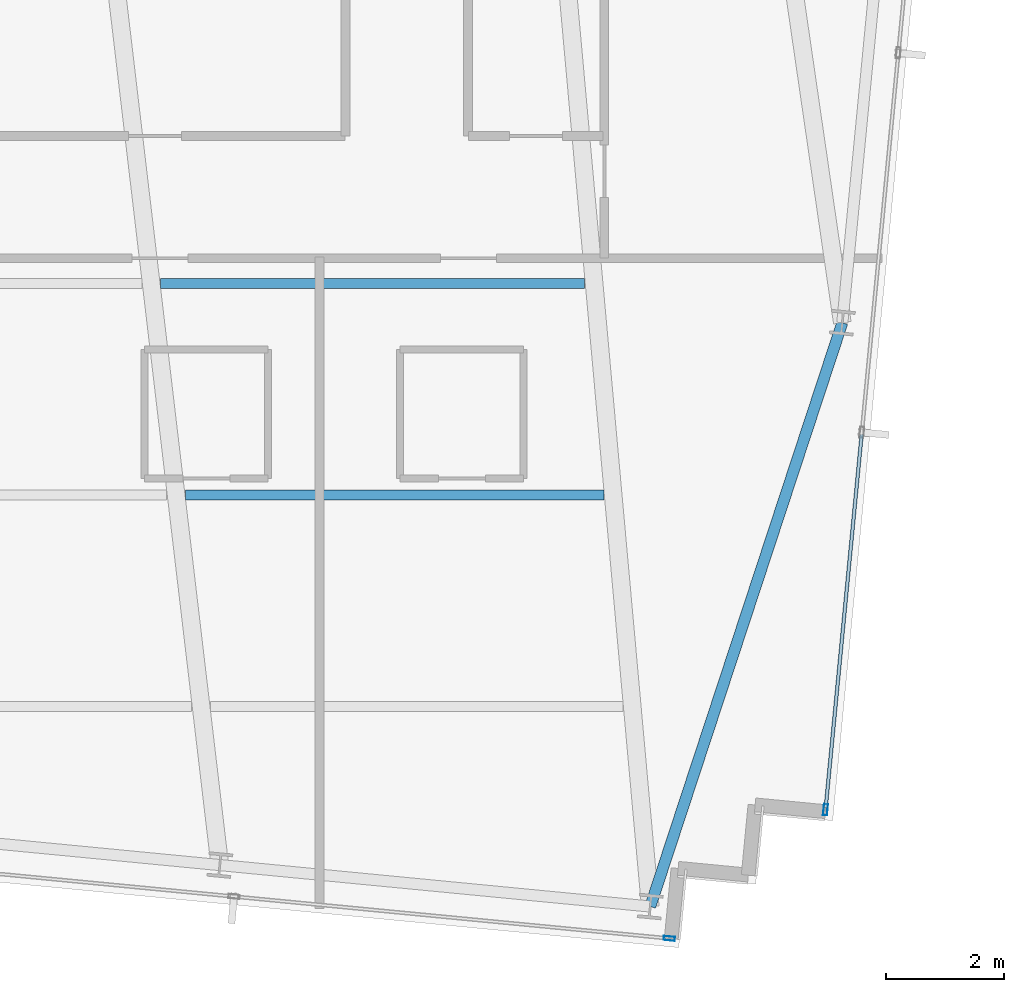
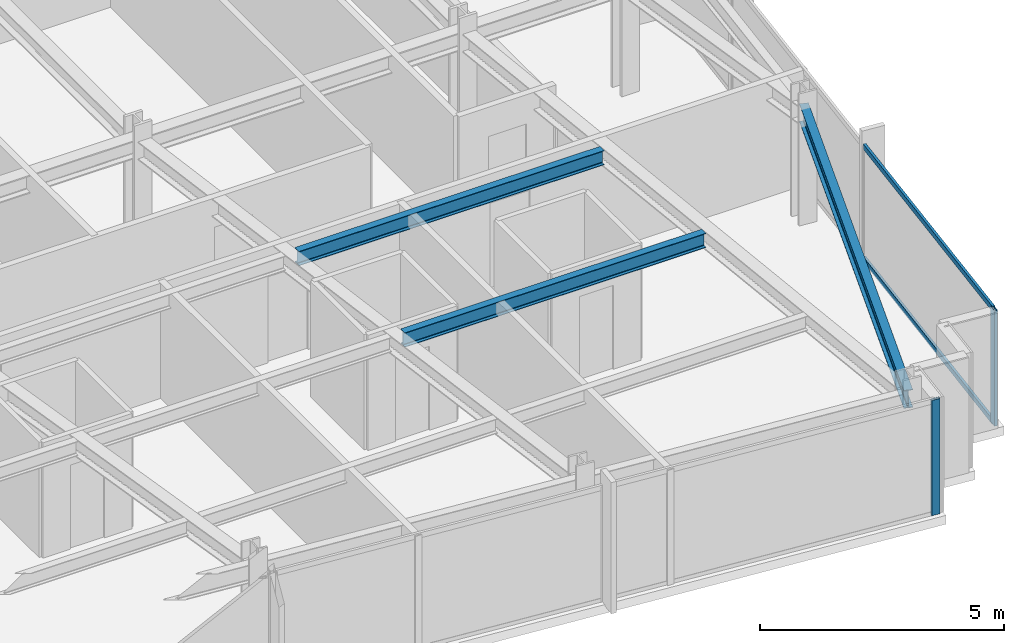
# One storey, part 14 of 37: 4 members, 3 beams, 2 elements without a shape of their own.
"""IFC4 building model written with IfcOpenShell, lengths in metres."""

from ifc_helpers import new_model, si_unit, direction, frame, origin, origin_2d, place, context, subcontext, project, spatial, hollow_rectangle, i_section, extrude, material, material_profile, profile_set, type_object, element, aggregate, save


model = new_model("IFC4")

# Units and contexts
model_context = context("Model", 3, precision=1e-05, world=origin(), true_north=direction((0.0, 1.0)))
body_context = subcontext(model_context, "Body", "Model", "MODEL_VIEW")
ifc_project = project(units=[si_unit("LENGTHUNIT", "METRE"), si_unit("AREAUNIT", "SQUARE_METRE"), si_unit("VOLUMEUNIT", "CUBIC_METRE"), si_unit("PLANEANGLEUNIT", "RADIAN"), si_unit("MASSUNIT", "GRAM", prefix="KILO")], contexts=[model_context])

# Site, building, storey
site_placement = place(None, origin())
site = spatial("IfcSite", under=ifc_project, at=site_placement, CompositionType="ELEMENT")
building_placement = place(site_placement, origin())
building = spatial("IfcBuilding", under=site, at=building_placement, Name="Yelkora Congress Tower", CompositionType="ELEMENT")
storey_placement = place(building_placement, frame((0.0, 0.0, 188.60009765625)))
storey = spatial("IfcBuildingStorey", under=building, at=storey_placement, Name="L52", CompositionType="ELEMENT", Elevation=188.60009765625)

# Beams
ifc_material_1 = material(Name="Steel S355J2", Category="steel")
ifc_material_profile_1 = material_profile(ifc_material_1, i_section(OverallWidth=0.169921875, OverallDepth=0.360107421875, WebThickness=0.008056640625, FlangeThickness=0.0126953125, FilletRadius=0.01806640625, at=origin_2d()), Name="IPE 360")
ifc_profile_set_1 = profile_set([ifc_material_profile_1], Name="Steel S355J2")
beam_type_1 = type_object("IfcBeamType", Name="BM-JOIST-IPE360", PredefinedType="JOIST", material=ifc_profile_set_1)
beam_1_placement = place(storey_placement, frame((47.27587890625, 16.421142578125, 2.699951171875), z_axis=(1.0, 0.0, 0.0), x_axis=(0.0, 1.0, 0.0)))
element("IfcBeam", 1, at=beam_1_placement, inside=storey, type_object=beam_type_1, Name="L52 Composite Floor Joist 11", PredefinedType="JOIST", context=body_context, shape_type="SweptSolid", body=[
    extrude(i_section(OverallWidth=0.169921875, OverallDepth=0.360107421875, WebThickness=0.008056640625, FlangeThickness=0.0126953125, FilletRadius=0.01806640625, at=origin_2d()), origin(), (0.0, 0.0, 1.0), 7.115234375),
])
beam_2_placement = place(storey_placement, frame((46.851318359375, 20.021240234375, 2.699951171875), z_axis=(1.0, 0.0, 0.0), x_axis=(0.0, 1.0, 0.0)))
element("IfcBeam", 2, at=beam_2_placement, inside=storey, type_object=beam_type_1, Name="L52 Composite Floor Joist 18", PredefinedType="JOIST", context=body_context, shape_type="SweptSolid", body=[
    extrude(i_section(OverallWidth=0.169921875, OverallDepth=0.360107421875, WebThickness=0.008056640625, FlangeThickness=0.0126953125, FilletRadius=0.01806640625, at=origin_2d()), origin(), (0.0, 0.0, 1.0), 7.215576171875),
])
ifc_material_profile_2 = material_profile(ifc_material_1, i_section(OverallWidth=0.18994140625, OverallDepth=0.449951171875, WebThickness=0.009521484375, FlangeThickness=0.0146484375, FilletRadius=0.02099609375, at=origin_2d()), Name="IPE 450")
ifc_profile_set_2 = profile_set([ifc_material_profile_2], Name="Steel S355J2")
beam_type_2 = type_object("IfcBeamType", Name="BM-SPAN-IPE450", PredefinedType="SPANDREL", material=ifc_profile_set_2)
beam_3_placement = place(storey_placement, frame((55.18212890625, 9.421142578125, 2.65478515625), z_axis=(0.312456737339, 0.949931990877, 0.0), x_axis=(-0.949931990877, 0.312456737339, 0.0)))
element("IfcBeam", 3, at=beam_3_placement, inside=storey, type_object=beam_type_2, Name="L52 Perimeter Beam 9", PredefinedType="SPANDREL", context=body_context, shape_type="SweptSolid", body=[
    extrude(i_section(OverallWidth=0.18994140625, OverallDepth=0.449951171875, WebThickness=0.009521484375, FlangeThickness=0.0146484375, FilletRadius=0.02099609375, at=origin_2d()), origin(), (0.0, 0.0, 1.0), 10.4560546875),
])

# Curtain wall, member
ifc_material_2 = material(Name="Anodised aluminium and insulated glass", Category="aluminium")
curtain_wall_type = type_object("IfcCurtainWallType", Name="CW-SYS-B3", PredefinedType="NOTDEFINED", material=ifc_material_2)
curtain_wall_1_placement = place(storey_placement, origin())
curtain_wall_1 = element("IfcCurtainWall", 4, at=curtain_wall_1_placement, inside=storey, type_object=curtain_wall_type, Name="L52 Unitised Curtain Wall 15", PredefinedType="NOTDEFINED")
ifc_material_3 = material(Name="Anodised aluminium 6063-T6", Category="aluminium")
ifc_material_profile_3 = material_profile(ifc_material_3, hollow_rectangle(XDim=0.070068359375, YDim=0.18994140625, WallThickness=0.00390625, at=origin_2d()), Name="ALU 70x190x4")
ifc_profile_set_3 = profile_set([ifc_material_profile_3], Name="Anodised aluminium 6063-T6")
member_type_1 = type_object("IfcMemberType", Name="MEM-ML-B3", PredefinedType="MULLION", material=ifc_profile_set_3)
member_1_placement = place(storey_placement, frame((58.163818359375, 11.068115234375, 0.0), z_axis=(0.0, 0.0, 1.0), x_axis=(0.995396565076, -0.095841944023, 0.0)))
member_1 = element("IfcMember", 5, at=member_1_placement, type_object=member_type_1, Name="CW-B3 mullion 6", PredefinedType="MULLION", context=body_context, shape_type="SweptSolid", body=[
    extrude(hollow_rectangle(XDim=0.070068359375, YDim=0.18994140625, WallThickness=0.00390625, at=origin_2d()), origin(), (0.0, 0.0, 1.0), 2.8798828125),
])

curtain_wall_2_placement = place(storey_placement, origin())
curtain_wall_2 = element("IfcCurtainWall", 6, at=curtain_wall_2_placement, inside=storey, type_object=curtain_wall_type, Name="L52 Unitised Curtain Wall 20", PredefinedType="NOTDEFINED")
member_2_placement = place(storey_placement, frame((55.506591796875, 8.877685546875, 0.0), z_axis=(0.0, 0.0, 1.0), x_axis=(-0.095844680679, -0.995396301573, 0.0)))
member_2 = element("IfcMember", 7, at=member_2_placement, type_object=member_type_1, Name="CW-B3 mullion 1", PredefinedType="MULLION", context=body_context, shape_type="SweptSolid", body=[
    extrude(hollow_rectangle(XDim=0.070068359375, YDim=0.18994140625, WallThickness=0.00390625, at=origin_2d()), origin(), (0.0, 0.0, 1.0), 2.8798828125),
])
aggregate(curtain_wall_2, [member_2])

# Member
ifc_material_profile_4 = material_profile(ifc_material_3, hollow_rectangle(XDim=0.06005859375, YDim=0.1298828125, WallThickness=0.00390625, at=origin_2d()), Name="ALU 60x130x4")
ifc_profile_set_4 = profile_set([ifc_material_profile_4], Name="Anodised aluminium 6063-T6")
member_type_2 = type_object("IfcMemberType", Name="MEM-TR-B3", PredefinedType="USERDEFINED", material=ifc_profile_set_4)
member_3_placement = place(storey_placement, frame((58.778564453125, 17.45263671875, 0.02978515625), z_axis=(-0.095869192297, -0.995393941095, 0.0), x_axis=(0.995393941095, -0.095869192297, 0.0)))
member_3 = element("IfcMember", 8, at=member_3_placement, type_object=member_type_2, Name="CW-B3 transom 5.1", ObjectType="TRANSOM", PredefinedType="USERDEFINED", context=body_context, shape_type="SweptSolid", body=[
    extrude(hollow_rectangle(XDim=0.06005859375, YDim=0.1298828125, WallThickness=0.00390625, at=origin_2d()), origin(), (0.0, 0.0, 1.0), 6.379150390625),
])

member_4_placement = place(storey_placement, frame((58.778564453125, 17.45263671875, 2.849853515625), z_axis=(-0.095869192297, -0.995393941095, 0.0), x_axis=(0.995393941095, -0.095869192297, 0.0)))
member_4 = element("IfcMember", 9, at=member_4_placement, type_object=member_type_2, Name="CW-B3 transom 5.2", ObjectType="TRANSOM", PredefinedType="USERDEFINED", context=body_context, shape_type="SweptSolid", body=[
    extrude(hollow_rectangle(XDim=0.06005859375, YDim=0.1298828125, WallThickness=0.00390625, at=origin_2d()), origin(), (0.0, 0.0, 1.0), 6.379150390625),
])

aggregate(curtain_wall_1, [member_1, member_3, member_4])

save(model, "model.ifc")
